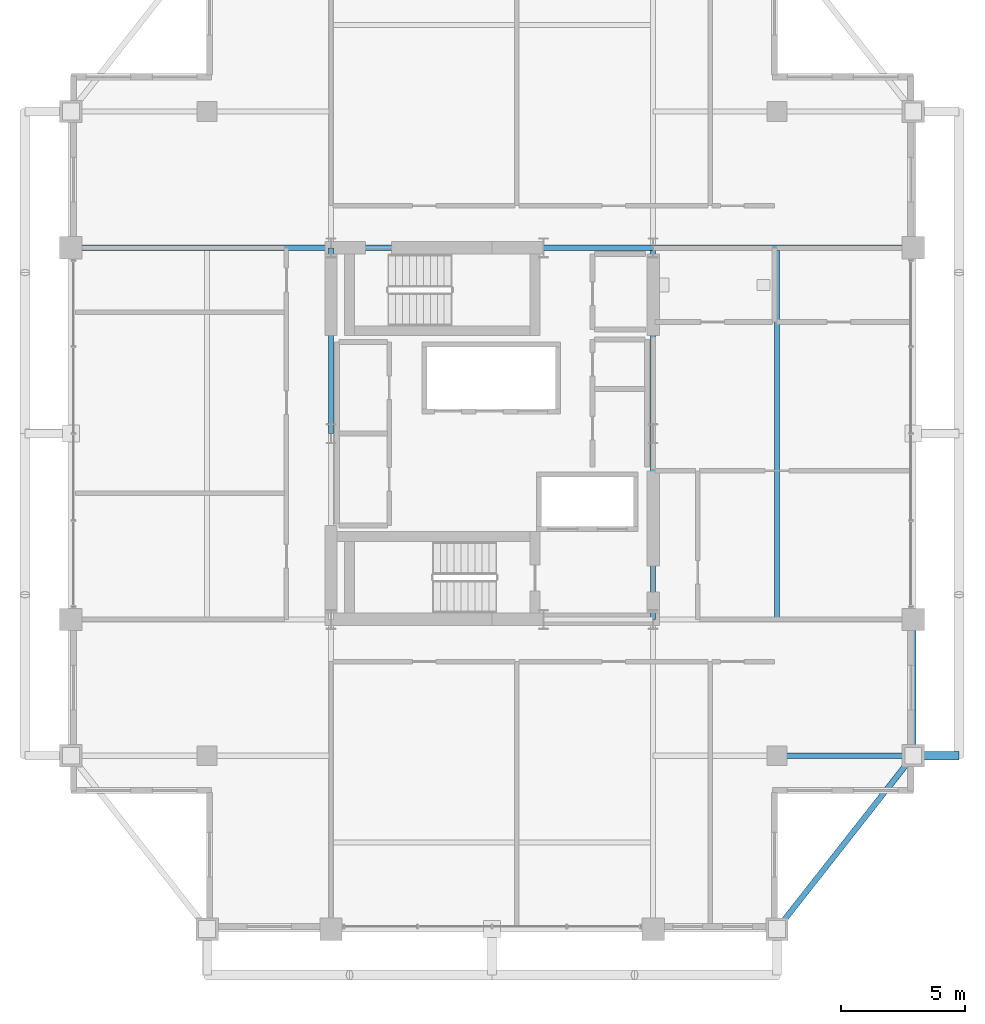
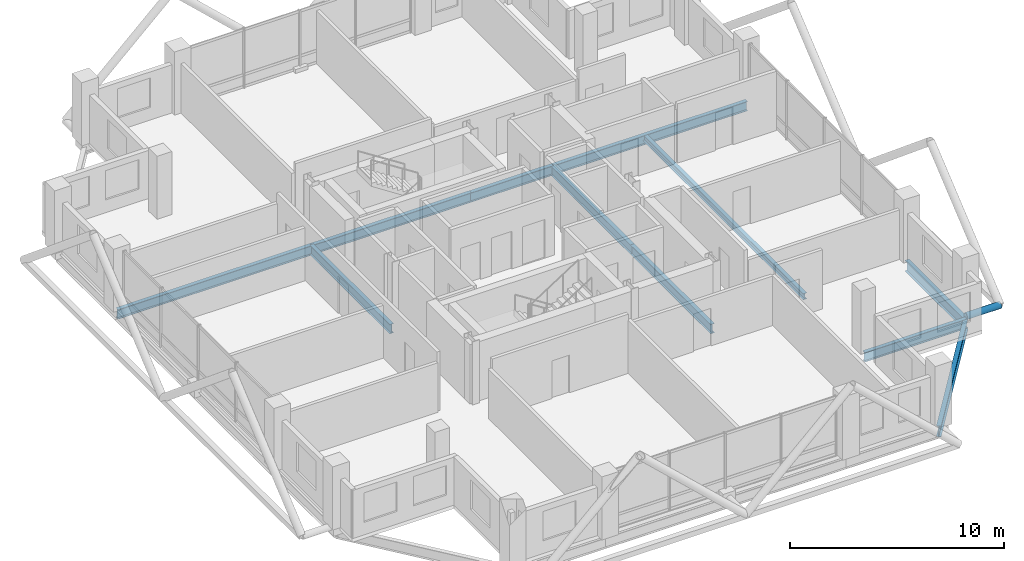
# One storey, part 11 of 24: 11 beams, 1 member.
"""IFC4 building model written with IfcOpenShell, lengths in metres."""

from ifc_helpers import new_model, si_unit, direction, frame, origin, origin_2d, place, context, subcontext, project, spatial, hollow_circle, i_section, extrude, material, material_profile, profile_set, type_object, element, save


model = new_model("IFC4")

# Units and contexts
model_context = context("Model", 3, precision=1e-05, world=origin(), true_north=direction((0.0, 1.0)))
body_context = subcontext(model_context, "Body", "Model", "MODEL_VIEW")
ifc_project = project(units=[si_unit("LENGTHUNIT", "METRE"), si_unit("AREAUNIT", "SQUARE_METRE"), si_unit("VOLUMEUNIT", "CUBIC_METRE"), si_unit("PLANEANGLEUNIT", "RADIAN"), si_unit("MASSUNIT", "GRAM", prefix="KILO")], contexts=[model_context])

# Site, building, storey
site_placement = place(None, origin())
site = spatial("IfcSite", under=ifc_project, at=site_placement, CompositionType="ELEMENT")
building_placement = place(site_placement, origin())
building = spatial("IfcBuilding", under=site, at=building_placement, Name="Barlavira Tower and Art Museum", CompositionType="ELEMENT")
storey_placement = place(building_placement, frame((0.0, 0.0, 272.699951171875)))
storey = spatial("IfcBuildingStorey", under=building, at=storey_placement, Name="L71", CompositionType="ELEMENT", Elevation=272.699951171875)

# Member
ifc_material = material(Name="Steel S355", Category="steel")
ifc_material_profile_1 = material_profile(ifc_material, hollow_circle(Radius=0.177734375, WallThickness=0.01611328125, at=origin_2d()), Name="CHS 355.6x16.0")
ifc_profile_set_1 = profile_set([ifc_material_profile_1], Name="Steel S355")
member_type = type_object("IfcMemberType", Name="Pale-Metal Exoskeleton Tie Strut CHS 356x16 Steel S355", PredefinedType="STRUT", material=ifc_profile_set_1)
member_placement = place(storey_placement, frame((18.85009765625, -13.0, -0.119873046875), z_axis=(-1.0, 0.0, 0.0), x_axis=(0.0, -1.0, 0.0)))
element("IfcMember", 1, at=member_placement, inside=storey, type_object=member_type, Name="L71 Exoskeleton Tie Strut E1", PredefinedType="STRUT", context=body_context, shape_type="SweptSolid", body=[
    extrude(hollow_circle(Radius=0.177734375, WallThickness=0.01611328125, at=origin_2d()), origin(), (0.0, 0.0, 1.0), 1.85009765625),
])

# Beams
ifc_material_profile_2 = material_profile(ifc_material, i_section(OverallWidth=0.22998046875, OverallDepth=0.616943359375, WebThickness=0.01318359375, FlangeThickness=0.022216796875, at=origin_2d()), Name="W610x140.0")
ifc_profile_set_2 = profile_set([ifc_material_profile_2], Name="Steel S355")
beam_type_1 = type_object("IfcBeamType", Name="Upper Shaft Spandrel Edge Beam W610x140 Steel S355", PredefinedType="SPANDREL", material=ifc_profile_set_2)
beam_1_placement = place(storey_placement, frame((11.5, -20.0, -0.528564453125), z_axis=(0.617821551932, 0.786318338822, 0.0), x_axis=(-0.786318338822, 0.617821551932, 0.0)))
element("IfcBeam", 2, at=beam_1_placement, inside=storey, type_object=beam_type_1, Name="L71 Spandrel 4", PredefinedType="SPANDREL", context=body_context, shape_type="SweptSolid", body=[
    extrude(i_section(OverallWidth=0.22998046875, OverallDepth=0.616943359375, WebThickness=0.01318359375, FlangeThickness=0.022216796875, at=origin_2d()), origin(), (0.0, 0.0, 1.0), 8.90234375),
])
beam_2_placement = place(storey_placement, frame((17.0, -13.0, -0.528564453125), z_axis=(0.0, 1.0, 0.0), x_axis=(-1.0, 0.0, 0.0)))
element("IfcBeam", 3, at=beam_2_placement, inside=storey, type_object=beam_type_1, Name="L71 Spandrel 5", PredefinedType="SPANDREL", context=body_context, shape_type="SweptSolid", body=[
    extrude(i_section(OverallWidth=0.22998046875, OverallDepth=0.616943359375, WebThickness=0.01318359375, FlangeThickness=0.022216796875, at=origin_2d()), origin(), (0.0, 0.0, 1.0), 5.5),
])
ifc_material_profile_3 = material_profile(ifc_material, i_section(OverallWidth=0.2109375, OverallDepth=0.5390625, WebThickness=0.01171875, FlangeThickness=0.018798828125, at=origin_2d()), Name="W530x109.0")
ifc_profile_set_3 = profile_set([ifc_material_profile_3], Name="Steel S355")
beam_type_2 = type_object("IfcBeamType", Name="Zone 3-4 Primary Floor Girder W530x109 Steel S355", PredefinedType="BEAM", material=ifc_profile_set_3)
beam_3_placement = place(storey_placement, frame((-6.5, 7.5, -0.489501953125), z_axis=(1.0, 0.0, 0.0), x_axis=(0.0, 1.0, 0.0)))
element("IfcBeam", 4, at=beam_3_placement, inside=storey, type_object=beam_type_2, Name="L71 Girder C-N1", PredefinedType="BEAM", context=body_context, shape_type="SweptSolid", body=[
    extrude(i_section(OverallWidth=0.2109375, OverallDepth=0.5390625, WebThickness=0.01171875, FlangeThickness=0.018798828125, at=origin_2d()), origin(), (0.0, 0.0, 1.0), 8.580078125),
])
beam_4_placement = place(storey_placement, frame((2.080078125, 7.5, -0.489501953125), z_axis=(1.0, 0.0, 0.0), x_axis=(0.0, 1.0, 0.0)))
element("IfcBeam", 5, at=beam_4_placement, inside=storey, type_object=beam_type_2, Name="L71 Girder C-N2", PredefinedType="BEAM", context=body_context, shape_type="SweptSolid", body=[
    extrude(i_section(OverallWidth=0.2109375, OverallDepth=0.5390625, WebThickness=0.01171875, FlangeThickness=0.018798828125, at=origin_2d()), origin(), (0.0, 0.0, 1.0), 4.419921875),
])
for number, where, z_axis, x_axis, name in (
    (6, (-6.5, 0.0, -0.489501953125), (0.0, 1.0, 0.0), (-1.0, 0.0, 0.0), "L71 Girder C-W2"),
    (7, (6.5, -7.5, -0.489501953125), (0.0, 1.0, 0.0), (-1.0, 0.0, 0.0), "L71 Girder C-E1"),
    (8, (6.5, 0.0, -0.489501953125), (0.0, 1.0, 0.0), (-1.0, 0.0, 0.0), "L71 Girder C-E2"),
):
    element("IfcBeam", number, at=place(storey_placement, frame(where, z_axis=z_axis, x_axis=x_axis)), inside=storey, type_object=beam_type_2, Name=name, PredefinedType="BEAM", context=body_context, shape_type="SweptSolid", body=[
        extrude(i_section(OverallWidth=0.2109375, OverallDepth=0.5390625, WebThickness=0.01171875, FlangeThickness=0.018798828125, at=origin_2d()), origin(), (0.0, 0.0, 1.0), 7.5),
    ])
for number, where, z_axis, x_axis, name in (
    (9, (-17.0, 7.5, -0.489501953125), (1.0, 0.0, 0.0), (0.0, 1.0, 0.0), "L71 Girder R-W2"),
    (10, (6.5, 7.5, -0.489501953125), (1.0, 0.0, 0.0), (0.0, 1.0, 0.0), "L71 Girder R-E2"),
):
    element("IfcBeam", number, at=place(storey_placement, frame(where, z_axis=z_axis, x_axis=x_axis)), inside=storey, type_object=beam_type_2, Name=name, PredefinedType="BEAM", context=body_context, shape_type="SweptSolid", body=[
        extrude(i_section(OverallWidth=0.2109375, OverallDepth=0.5390625, WebThickness=0.01171875, FlangeThickness=0.018798828125, at=origin_2d()), origin(), (0.0, 0.0, 1.0), 10.5),
    ])
beam_5_placement = place(storey_placement, frame((11.5, -13.0, -0.489501953125), z_axis=(1.0, 0.0, 0.0), x_axis=(0.0, 1.0, 0.0)))
element("IfcBeam", 11, at=beam_5_placement, inside=storey, type_object=beam_type_2, Name="L71 Girder I-S4", PredefinedType="BEAM", context=body_context, shape_type="SweptSolid", body=[
    extrude(i_section(OverallWidth=0.2109375, OverallDepth=0.5390625, WebThickness=0.01171875, FlangeThickness=0.018798828125, at=origin_2d()), origin(), (0.0, 0.0, 1.0), 5.5),
])
ifc_material_profile_4 = material_profile(ifc_material, i_section(OverallWidth=0.202880859375, OverallDepth=0.346923828125, WebThickness=0.0078125, FlangeThickness=0.013427734375, at=origin_2d()), Name="W360x64.0")
ifc_profile_set_4 = profile_set([ifc_material_profile_4], Name="Steel S355")
beam_type_3 = type_object("IfcBeamType", Name="Zone 4 Composite Floor Joist W360x64 Steel S355", PredefinedType="JOIST", material=ifc_profile_set_4)
beam_6_placement = place(storey_placement, frame((11.5, -7.5, -0.3935546875), z_axis=(0.0, 1.0, 0.0), x_axis=(-1.0, 0.0, 0.0)))
element("IfcBeam", 12, at=beam_6_placement, inside=storey, type_object=beam_type_3, Name="L71 Joist W2", PredefinedType="JOIST", context=body_context, shape_type="SweptSolid", body=[
    extrude(i_section(OverallWidth=0.202880859375, OverallDepth=0.346923828125, WebThickness=0.0078125, FlangeThickness=0.013427734375, at=origin_2d()), origin(), (0.0, 0.0, 1.0), 15.0),
])

save(model, "model.ifc")
